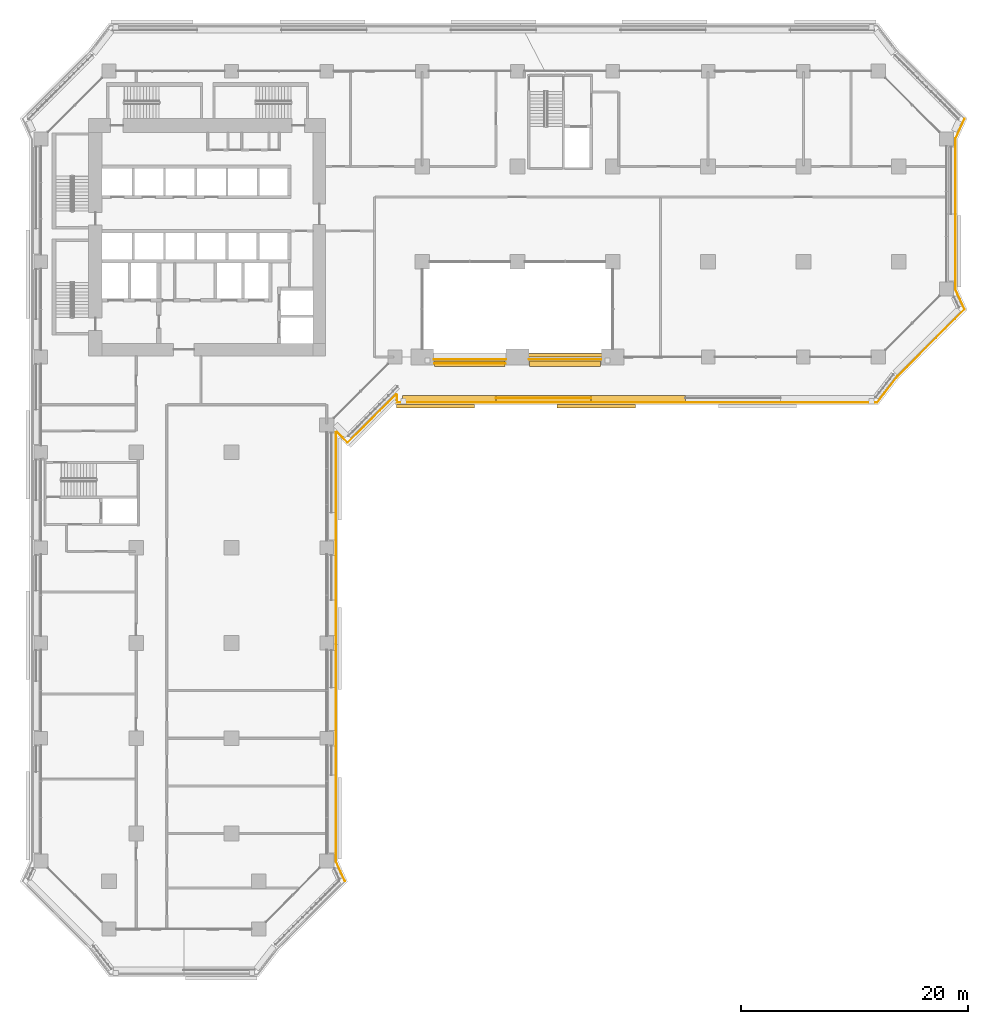
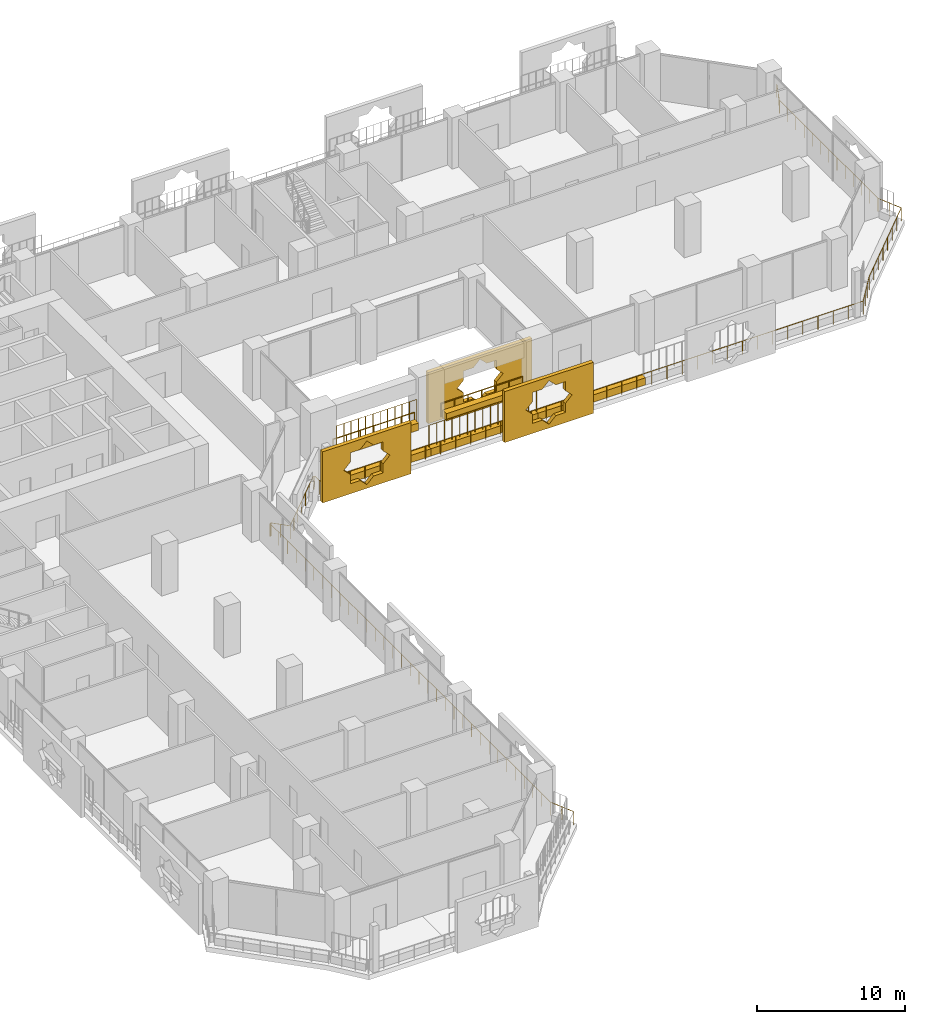
# One storey, part 23 of 27: 8 coverings, 5 railings.
"""IFC4 building model written with IfcOpenShell, lengths in metres."""

from ifc_helpers import new_model, si_unit, direction, frame, origin, origin_2d, place, context, subcontext, project, spatial, polyline, rectangle, circle, outline, extrude, material, material_profile, profile_set, type_object, element, save


model = new_model("IFC4")

# Units and contexts
model_context = context("Model", 3, precision=1e-05, world=origin(), true_north=direction((0.0, 1.0)))
body_context = subcontext(model_context, "Body", "Model", "MODEL_VIEW")
ifc_project = project(units=[si_unit("LENGTHUNIT", "METRE"), si_unit("AREAUNIT", "SQUARE_METRE"), si_unit("VOLUMEUNIT", "CUBIC_METRE"), si_unit("PLANEANGLEUNIT", "RADIAN"), si_unit("MASSUNIT", "GRAM", prefix="KILO")], contexts=[model_context])

# Site, building, storey
site_placement = place(None, origin())
site = spatial("IfcSite", under=ifc_project, at=site_placement, CompositionType="ELEMENT")
building_placement = place(site_placement, origin())
building = spatial("IfcBuilding", under=site, at=building_placement, Name="Kawkab Arch Medical Tower", CompositionType="ELEMENT")
storey_placement = place(building_placement, frame((0.0, 0.0, 43.39990234375)))
storey = spatial("IfcBuildingStorey", under=building, at=storey_placement, Name="L09", CompositionType="ELEMENT", Elevation=43.39990234375)

# Railings
ifc_material_1 = material(Name="Bronze anodised aluminium guard", Category="aluminium")
railing_type_1 = type_object("IfcRailingType", Name="Loggia and terrace guard 1100", PredefinedType="GUARDRAIL", material=ifc_material_1)
for number, where, name in (
    (1, (34.6298828125, -25.39990234375, 0.0), "Guard L09.LOG-01.1.1"),
    (2, (43.030029296875, -25.39990234375, 0.0), "Guard L09.LOG-01.1.2"),
):
    element("IfcRailing", number, at=place(storey_placement, frame(where)), inside=storey, type_object=railing_type_1, Name=name, PredefinedType="GUARDRAIL", context=body_context, shape_type="SweptSolid", body=[
        extrude(circle(Radius=0.02392578125, at=origin_2d()), frame((0.0, 0.0, 1.076171875), z_axis=(1.0, 0.0, 0.0), x_axis=(0.0, 1.0, 0.0)), (0.0, 0.0, 1.0), 6.340087890625),
        extrude(circle(Radius=0.02099609375, at=origin_2d()), origin(), (0.0, 0.0, 1.0), 1.052001953125),
        extrude(circle(Radius=0.02099609375, at=origin_2d()), frame((1.056640625, 0.0, 0.0)), (0.0, 0.0, 1.0), 1.052001953125),
        extrude(circle(Radius=0.02099609375, at=origin_2d()), frame((2.11328125, 0.0, 0.0)), (0.0, 0.0, 1.0), 1.052001953125),
        extrude(circle(Radius=0.02099609375, at=origin_2d()), frame((3.169921875, 0.0, 0.0)), (0.0, 0.0, 1.0), 1.052001953125),
        extrude(circle(Radius=0.02099609375, at=origin_2d()), frame((4.226806640625, 0.0, 0.0)), (0.0, 0.0, 1.0), 1.052001953125),
        extrude(circle(Radius=0.02099609375, at=origin_2d()), frame((5.283447265625, 0.0, 0.0)), (0.0, 0.0, 1.0), 1.052001953125),
        extrude(circle(Radius=0.02099609375, at=origin_2d()), frame((6.340087890625, 0.0, 0.0)), (0.0, 0.0, 1.0), 1.052001953125),
    ])
railing_1_placement = place(storey_placement, frame((81.39794921875, -4.205078125, 0.0)))
element("IfcRailing", 3, at=railing_1_placement, inside=storey, type_object=railing_type_1, Name="Guard L09.LOG-01.2.2", PredefinedType="GUARDRAIL", context=body_context, shape_type="SweptSolid", body=[
    extrude(circle(Radius=0.02392578125, at=origin_2d()), frame((0.0, 0.0, 1.076171875), z_axis=(-0.414452581809, -0.910070907914, 0.0), x_axis=(0.910070907914, -0.414452581809, 0.0)), (0.0, 0.0, 1.0), 1.925048828125),
    extrude(circle(Radius=0.02392578125, at=origin_2d()), frame((-0.7978515625, -1.751953125, 1.076171875), z_axis=(0.0, -1.0, 0.0), x_axis=(1.0, 0.0, 0.0)), (0.0, 0.0, 1.0), 13.285888671875),
    extrude(circle(Radius=0.02392578125, at=origin_2d()), frame((-0.7978515625, -15.037841796875, 1.076171875), z_axis=(0.414404752076, -0.910092688388, 0.0), x_axis=(0.910092688388, 0.414404752076, 0.0)), (0.0, 0.0, 1.0), 1.92529296875),
    extrude(circle(Radius=0.02392578125, at=origin_2d()), frame((0.0, -16.7900390625, 1.076171875), z_axis=(-0.707106781187, -0.707106781187, 0.0), x_axis=(0.707106781187, -0.707106781187, 0.0)), (0.0, 0.0, 1.0), 8.35791015625),
    extrude(circle(Radius=0.02392578125, at=origin_2d()), frame((-5.909912109375, -22.699951171875, 1.076171875), z_axis=(-0.614196313452, -0.789153273162, 0.0), x_axis=(0.789153273162, -0.614196313452, 0.0)), (0.0, 0.0, 1.0), 2.908203125),
    extrude(circle(Radius=0.02392578125, at=origin_2d()), frame((-7.696044921875, -24.994873046875, 1.076171875), z_axis=(-1.0, 0.0, 0.0), x_axis=(0.0, -1.0, 0.0)), (0.0, 0.0, 1.0), 42.302001953125),
    extrude(circle(Radius=0.02392578125, at=origin_2d()), frame((-49.998046875, -24.994873046875, 1.076171875), z_axis=(0.0, 1.0, 0.0), x_axis=(-1.0, 0.0, 0.0)), (0.0, 0.0, 1.0), 0.6728515625),
    extrude(circle(Radius=0.02392578125, at=origin_2d()), frame((-49.998046875, -24.322021484375, 1.076171875), z_axis=(-0.923431341387, 0.383763674343, 0.0), x_axis=(-0.383763674343, -0.923431341387, 0.0)), (0.0, 0.0, 1.0), 0.101806640625),
    extrude(circle(Radius=0.02392578125, at=origin_2d()), frame((-50.092041015625, -24.282958984375, 1.076171875), z_axis=(-0.707187685852, -0.707025867263, 0.0), x_axis=(0.707025867263, -0.707187685852, 0.0)), (0.0, 0.0, 1.0), 6.034912109375),
    extrude(circle(Radius=0.02392578125, at=origin_2d()), frame((-54.35986328125, -28.5498046875, 1.076171875), z_axis=(-0.707198215437, 0.707015335112, 0.0), x_axis=(-0.707015335112, -0.707198215437, 0.0)), (0.0, 0.0, 1.0), 1.3349609375),
    extrude(circle(Radius=0.02392578125, at=origin_2d()), frame((-55.303955078125, -27.60595703125, 1.076171875), z_axis=(-0.923431341387, -0.383763674343, 0.0), x_axis=(0.383763674343, -0.923431341387, 0.0)), (0.0, 0.0, 1.0), 0.101806640625),
    extrude(circle(Radius=0.02392578125, at=origin_2d()), frame((-55.39794921875, -27.64501953125, 1.076171875), z_axis=(0.0, -1.0, 0.0), x_axis=(1.0, 0.0, 0.0)), (0.0, 0.0, 1.0), 37.79296875),
    extrude(circle(Radius=0.02392578125, at=origin_2d()), frame((-55.39794921875, -65.43798828125, 1.076171875), z_axis=(0.414557610759, -0.910023069687, 0.0), x_axis=(0.910023069687, 0.414557610759, 0.0)), (0.0, 0.0, 1.0), 1.92529296875),
    extrude(circle(Radius=0.02099609375, at=origin_2d()), origin(), (0.0, 0.0, 1.0), 1.052001953125),
    extrude(circle(Radius=0.02099609375, at=origin_2d()), frame((-0.39892578125, -0.8759765625, 0.0)), (0.0, 0.0, 1.0), 1.052001953125),
    extrude(circle(Radius=0.02099609375, at=origin_2d()), frame((-0.7978515625, -1.751953125, 0.0)), (0.0, 0.0, 1.0), 1.052001953125),
    extrude(circle(Radius=0.02099609375, at=origin_2d()), frame((-0.7978515625, -2.859130859375, 0.0)), (0.0, 0.0, 1.0), 1.052001953125),
    extrude(circle(Radius=0.02099609375, at=origin_2d()), frame((-0.7978515625, -3.96630859375, 0.0)), (0.0, 0.0, 1.0), 1.052001953125),
    extrude(circle(Radius=0.02099609375, at=origin_2d()), frame((-0.7978515625, -5.073486328125, 0.0)), (0.0, 0.0, 1.0), 1.052001953125),
    extrude(circle(Radius=0.02099609375, at=origin_2d()), frame((-0.7978515625, -6.1806640625, 0.0)), (0.0, 0.0, 1.0), 1.052001953125),
    extrude(circle(Radius=0.02099609375, at=origin_2d()), frame((-0.7978515625, -7.287841796875, 0.0)), (0.0, 0.0, 1.0), 1.052001953125),
    extrude(circle(Radius=0.02099609375, at=origin_2d()), frame((-0.7978515625, -8.39501953125, 0.0)), (0.0, 0.0, 1.0), 1.052001953125),
    extrude(circle(Radius=0.02099609375, at=origin_2d()), frame((-0.7978515625, -9.501953125, 0.0)), (0.0, 0.0, 1.0), 1.052001953125),
    extrude(circle(Radius=0.02099609375, at=origin_2d()), frame((-0.7978515625, -10.609130859375, 0.0)), (0.0, 0.0, 1.0), 1.052001953125),
    extrude(circle(Radius=0.02099609375, at=origin_2d()), frame((-0.7978515625, -11.71630859375, 0.0)), (0.0, 0.0, 1.0), 1.052001953125),
    extrude(circle(Radius=0.02099609375, at=origin_2d()), frame((-0.7978515625, -12.823486328125, 0.0)), (0.0, 0.0, 1.0), 1.052001953125),
    extrude(circle(Radius=0.02099609375, at=origin_2d()), frame((-0.7978515625, -13.9306640625, 0.0)), (0.0, 0.0, 1.0), 1.052001953125),
    extrude(circle(Radius=0.02099609375, at=origin_2d()), frame((-0.7978515625, -15.037841796875, 0.0)), (0.0, 0.0, 1.0), 1.052001953125),
    extrude(circle(Radius=0.02099609375, at=origin_2d()), frame((-0.39892578125, -15.9140625, 0.0)), (0.0, 0.0, 1.0), 1.052001953125),
    extrude(circle(Radius=0.02099609375, at=origin_2d()), frame((0.0, -16.7900390625, 0.0)), (0.0, 0.0, 1.0), 1.052001953125),
    extrude(circle(Radius=0.02099609375, at=origin_2d()), frame((-0.84423828125, -17.63427734375, 0.0)), (0.0, 0.0, 1.0), 1.052001953125),
    extrude(circle(Radius=0.02099609375, at=origin_2d()), frame((-1.6884765625, -18.478515625, 0.0)), (0.0, 0.0, 1.0), 1.052001953125),
    extrude(circle(Radius=0.02099609375, at=origin_2d()), frame((-2.53271484375, -19.32275390625, 0.0)), (0.0, 0.0, 1.0), 1.052001953125),
    extrude(circle(Radius=0.02099609375, at=origin_2d()), frame((-3.377197265625, -20.167236328125, 0.0)), (0.0, 0.0, 1.0), 1.052001953125),
    extrude(circle(Radius=0.02099609375, at=origin_2d()), frame((-4.221435546875, -21.011474609375, 0.0)), (0.0, 0.0, 1.0), 1.052001953125),
    extrude(circle(Radius=0.02099609375, at=origin_2d()), frame((-5.065673828125, -21.855712890625, 0.0)), (0.0, 0.0, 1.0), 1.052001953125),
    extrude(circle(Radius=0.02099609375, at=origin_2d()), frame((-5.909912109375, -22.699951171875, 0.0)), (0.0, 0.0, 1.0), 1.052001953125),
    extrude(circle(Radius=0.02099609375, at=origin_2d()), frame((-6.50537109375, -23.46484375, 0.0)), (0.0, 0.0, 1.0), 1.052001953125),
    extrude(circle(Radius=0.02099609375, at=origin_2d()), frame((-7.1005859375, -24.22998046875, 0.0)), (0.0, 0.0, 1.0), 1.052001953125),
    extrude(circle(Radius=0.02099609375, at=origin_2d()), frame((-7.696044921875, -24.994873046875, 0.0)), (0.0, 0.0, 1.0), 1.052001953125),
    extrude(circle(Radius=0.02099609375, at=origin_2d()), frame((-8.87109375, -24.994873046875, 0.0)), (0.0, 0.0, 1.0), 1.052001953125),
    extrude(circle(Radius=0.02099609375, at=origin_2d()), frame((-10.046142578125, -24.994873046875, 0.0)), (0.0, 0.0, 1.0), 1.052001953125),
    extrude(circle(Radius=0.02099609375, at=origin_2d()), frame((-11.22119140625, -24.994873046875, 0.0)), (0.0, 0.0, 1.0), 1.052001953125),
    extrude(circle(Radius=0.02099609375, at=origin_2d()), frame((-12.396240234375, -24.994873046875, 0.0)), (0.0, 0.0, 1.0), 1.052001953125),
    extrude(circle(Radius=0.02099609375, at=origin_2d()), frame((-13.5712890625, -24.994873046875, 0.0)), (0.0, 0.0, 1.0), 1.052001953125),
    extrude(circle(Radius=0.02099609375, at=origin_2d()), frame((-14.746337890625, -24.994873046875, 0.0)), (0.0, 0.0, 1.0), 1.052001953125),
    extrude(circle(Radius=0.02099609375, at=origin_2d()), frame((-15.92138671875, -24.994873046875, 0.0)), (0.0, 0.0, 1.0), 1.052001953125),
    extrude(circle(Radius=0.02099609375, at=origin_2d()), frame((-17.096435546875, -24.994873046875, 0.0)), (0.0, 0.0, 1.0), 1.052001953125),
    extrude(circle(Radius=0.02099609375, at=origin_2d()), frame((-18.271484375, -24.994873046875, 0.0)), (0.0, 0.0, 1.0), 1.052001953125),
    extrude(circle(Radius=0.02099609375, at=origin_2d()), frame((-19.446533203125, -24.994873046875, 0.0)), (0.0, 0.0, 1.0), 1.052001953125),
    extrude(circle(Radius=0.02099609375, at=origin_2d()), frame((-20.62158203125, -24.994873046875, 0.0)), (0.0, 0.0, 1.0), 1.052001953125),
    extrude(circle(Radius=0.02099609375, at=origin_2d()), frame((-21.796630859375, -24.994873046875, 0.0)), (0.0, 0.0, 1.0), 1.052001953125),
    extrude(circle(Radius=0.02099609375, at=origin_2d()), frame((-22.9716796875, -24.994873046875, 0.0)), (0.0, 0.0, 1.0), 1.052001953125),
    extrude(circle(Radius=0.02099609375, at=origin_2d()), frame((-24.146728515625, -24.994873046875, 0.0)), (0.0, 0.0, 1.0), 1.052001953125),
    extrude(circle(Radius=0.02099609375, at=origin_2d()), frame((-25.32177734375, -24.994873046875, 0.0)), (0.0, 0.0, 1.0), 1.052001953125),
    extrude(circle(Radius=0.02099609375, at=origin_2d()), frame((-26.496826171875, -24.994873046875, 0.0)), (0.0, 0.0, 1.0), 1.052001953125),
    extrude(circle(Radius=0.02099609375, at=origin_2d()), frame((-27.671875, -24.994873046875, 0.0)), (0.0, 0.0, 1.0), 1.052001953125),
    extrude(circle(Radius=0.02099609375, at=origin_2d()), frame((-28.84716796875, -24.994873046875, 0.0)), (0.0, 0.0, 1.0), 1.052001953125),
    extrude(circle(Radius=0.02099609375, at=origin_2d()), frame((-30.022216796875, -24.994873046875, 0.0)), (0.0, 0.0, 1.0), 1.052001953125),
    extrude(circle(Radius=0.02099609375, at=origin_2d()), frame((-31.197265625, -24.994873046875, 0.0)), (0.0, 0.0, 1.0), 1.052001953125),
    extrude(circle(Radius=0.02099609375, at=origin_2d()), frame((-32.372314453125, -24.994873046875, 0.0)), (0.0, 0.0, 1.0), 1.052001953125),
    extrude(circle(Radius=0.02099609375, at=origin_2d()), frame((-33.54736328125, -24.994873046875, 0.0)), (0.0, 0.0, 1.0), 1.052001953125),
    extrude(circle(Radius=0.02099609375, at=origin_2d()), frame((-34.722412109375, -24.994873046875, 0.0)), (0.0, 0.0, 1.0), 1.052001953125),
    extrude(circle(Radius=0.02099609375, at=origin_2d()), frame((-35.8974609375, -24.994873046875, 0.0)), (0.0, 0.0, 1.0), 1.052001953125),
    extrude(circle(Radius=0.02099609375, at=origin_2d()), frame((-37.072509765625, -24.994873046875, 0.0)), (0.0, 0.0, 1.0), 1.052001953125),
    extrude(circle(Radius=0.02099609375, at=origin_2d()), frame((-38.24755859375, -24.994873046875, 0.0)), (0.0, 0.0, 1.0), 1.052001953125),
    extrude(circle(Radius=0.02099609375, at=origin_2d()), frame((-39.422607421875, -24.994873046875, 0.0)), (0.0, 0.0, 1.0), 1.052001953125),
    extrude(circle(Radius=0.02099609375, at=origin_2d()), frame((-40.59765625, -24.994873046875, 0.0)), (0.0, 0.0, 1.0), 1.052001953125),
    extrude(circle(Radius=0.02099609375, at=origin_2d()), frame((-41.772705078125, -24.994873046875, 0.0)), (0.0, 0.0, 1.0), 1.052001953125),
    extrude(circle(Radius=0.02099609375, at=origin_2d()), frame((-42.94775390625, -24.994873046875, 0.0)), (0.0, 0.0, 1.0), 1.052001953125),
    extrude(circle(Radius=0.02099609375, at=origin_2d()), frame((-44.122802734375, -24.994873046875, 0.0)), (0.0, 0.0, 1.0), 1.052001953125),
    extrude(circle(Radius=0.02099609375, at=origin_2d()), frame((-45.2978515625, -24.994873046875, 0.0)), (0.0, 0.0, 1.0), 1.052001953125),
    extrude(circle(Radius=0.02099609375, at=origin_2d()), frame((-46.472900390625, -24.994873046875, 0.0)), (0.0, 0.0, 1.0), 1.052001953125),
    extrude(circle(Radius=0.02099609375, at=origin_2d()), frame((-47.64794921875, -24.994873046875, 0.0)), (0.0, 0.0, 1.0), 1.052001953125),
    extrude(circle(Radius=0.02099609375, at=origin_2d()), frame((-48.822998046875, -24.994873046875, 0.0)), (0.0, 0.0, 1.0), 1.052001953125),
    extrude(circle(Radius=0.02099609375, at=origin_2d()), frame((-49.998046875, -24.994873046875, 0.0)), (0.0, 0.0, 1.0), 1.052001953125),
    extrude(circle(Radius=0.02099609375, at=origin_2d()), frame((-49.998046875, -24.322021484375, 0.0)), (0.0, 0.0, 1.0), 1.052001953125),
    extrude(circle(Radius=0.02099609375, at=origin_2d()), frame((-50.092041015625, -24.282958984375, 0.0)), (0.0, 0.0, 1.0), 1.052001953125),
    extrude(circle(Radius=0.02099609375, at=origin_2d()), frame((-50.80322265625, -24.994140625, 0.0)), (0.0, 0.0, 1.0), 1.052001953125),
    extrude(circle(Radius=0.02099609375, at=origin_2d()), frame((-51.5146484375, -25.705322265625, 0.0)), (0.0, 0.0, 1.0), 1.052001953125),
    extrude(circle(Radius=0.02099609375, at=origin_2d()), frame((-52.22607421875, -26.41650390625, 0.0)), (0.0, 0.0, 1.0), 1.052001953125),
    extrude(circle(Radius=0.02099609375, at=origin_2d()), frame((-52.937255859375, -27.12744140625, 0.0)), (0.0, 0.0, 1.0), 1.052001953125),
    extrude(circle(Radius=0.02099609375, at=origin_2d()), frame((-53.6484375, -27.838623046875, 0.0)), (0.0, 0.0, 1.0), 1.052001953125),
    extrude(circle(Radius=0.02099609375, at=origin_2d()), frame((-54.35986328125, -28.5498046875, 0.0)), (0.0, 0.0, 1.0), 1.052001953125),
    extrude(circle(Radius=0.02099609375, at=origin_2d()), frame((-54.83203125, -28.077880859375, 0.0)), (0.0, 0.0, 1.0), 1.052001953125),
    extrude(circle(Radius=0.02099609375, at=origin_2d()), frame((-55.303955078125, -27.60595703125, 0.0)), (0.0, 0.0, 1.0), 1.052001953125),
    extrude(circle(Radius=0.02099609375, at=origin_2d()), frame((-55.39794921875, -27.64501953125, 0.0)), (0.0, 0.0, 1.0), 1.052001953125),
    extrude(circle(Radius=0.02099609375, at=origin_2d()), frame((-55.39794921875, -28.826171875, 0.0)), (0.0, 0.0, 1.0), 1.052001953125),
    extrude(circle(Radius=0.02099609375, at=origin_2d()), frame((-55.39794921875, -30.007080078125, 0.0)), (0.0, 0.0, 1.0), 1.052001953125),
    extrude(circle(Radius=0.02099609375, at=origin_2d()), frame((-55.39794921875, -31.18798828125, 0.0)), (0.0, 0.0, 1.0), 1.052001953125),
    extrude(circle(Radius=0.02099609375, at=origin_2d()), frame((-55.39794921875, -32.369140625, 0.0)), (0.0, 0.0, 1.0), 1.052001953125),
    extrude(circle(Radius=0.02099609375, at=origin_2d()), frame((-55.39794921875, -33.55029296875, 0.0)), (0.0, 0.0, 1.0), 1.052001953125),
    extrude(circle(Radius=0.02099609375, at=origin_2d()), frame((-55.39794921875, -34.731201171875, 0.0)), (0.0, 0.0, 1.0), 1.052001953125),
    extrude(circle(Radius=0.02099609375, at=origin_2d()), frame((-55.39794921875, -35.912109375, 0.0)), (0.0, 0.0, 1.0), 1.052001953125),
    extrude(circle(Radius=0.02099609375, at=origin_2d()), frame((-55.39794921875, -37.09326171875, 0.0)), (0.0, 0.0, 1.0), 1.052001953125),
    extrude(circle(Radius=0.02099609375, at=origin_2d()), frame((-55.39794921875, -38.2744140625, 0.0)), (0.0, 0.0, 1.0), 1.052001953125),
    extrude(circle(Radius=0.02099609375, at=origin_2d()), frame((-55.39794921875, -39.455322265625, 0.0)), (0.0, 0.0, 1.0), 1.052001953125),
    extrude(circle(Radius=0.02099609375, at=origin_2d()), frame((-55.39794921875, -40.63623046875, 0.0)), (0.0, 0.0, 1.0), 1.052001953125),
    extrude(circle(Radius=0.02099609375, at=origin_2d()), frame((-55.39794921875, -41.8173828125, 0.0)), (0.0, 0.0, 1.0), 1.052001953125),
    extrude(circle(Radius=0.02099609375, at=origin_2d()), frame((-55.39794921875, -42.99853515625, 0.0)), (0.0, 0.0, 1.0), 1.052001953125),
    extrude(circle(Radius=0.02099609375, at=origin_2d()), frame((-55.39794921875, -44.179443359375, 0.0)), (0.0, 0.0, 1.0), 1.052001953125),
    extrude(circle(Radius=0.02099609375, at=origin_2d()), frame((-55.39794921875, -45.3603515625, 0.0)), (0.0, 0.0, 1.0), 1.052001953125),
    extrude(circle(Radius=0.02099609375, at=origin_2d()), frame((-55.39794921875, -46.54150390625, 0.0)), (0.0, 0.0, 1.0), 1.052001953125),
    extrude(circle(Radius=0.02099609375, at=origin_2d()), frame((-55.39794921875, -47.72265625, 0.0)), (0.0, 0.0, 1.0), 1.052001953125),
    extrude(circle(Radius=0.02099609375, at=origin_2d()), frame((-55.39794921875, -48.903564453125, 0.0)), (0.0, 0.0, 1.0), 1.052001953125),
    extrude(circle(Radius=0.02099609375, at=origin_2d()), frame((-55.39794921875, -50.08447265625, 0.0)), (0.0, 0.0, 1.0), 1.052001953125),
    extrude(circle(Radius=0.02099609375, at=origin_2d()), frame((-55.39794921875, -51.265625, 0.0)), (0.0, 0.0, 1.0), 1.052001953125),
    extrude(circle(Radius=0.02099609375, at=origin_2d()), frame((-55.39794921875, -52.44677734375, 0.0)), (0.0, 0.0, 1.0), 1.052001953125),
    extrude(circle(Radius=0.02099609375, at=origin_2d()), frame((-55.39794921875, -53.627685546875, 0.0)), (0.0, 0.0, 1.0), 1.052001953125),
    extrude(circle(Radius=0.02099609375, at=origin_2d()), frame((-55.39794921875, -54.80859375, 0.0)), (0.0, 0.0, 1.0), 1.052001953125),
    extrude(circle(Radius=0.02099609375, at=origin_2d()), frame((-55.39794921875, -55.98974609375, 0.0)), (0.0, 0.0, 1.0), 1.052001953125),
    extrude(circle(Radius=0.02099609375, at=origin_2d()), frame((-55.39794921875, -57.1708984375, 0.0)), (0.0, 0.0, 1.0), 1.052001953125),
    extrude(circle(Radius=0.02099609375, at=origin_2d()), frame((-55.39794921875, -58.351806640625, 0.0)), (0.0, 0.0, 1.0), 1.052001953125),
    extrude(circle(Radius=0.02099609375, at=origin_2d()), frame((-55.39794921875, -59.53271484375, 0.0)), (0.0, 0.0, 1.0), 1.052001953125),
    extrude(circle(Radius=0.02099609375, at=origin_2d()), frame((-55.39794921875, -60.7138671875, 0.0)), (0.0, 0.0, 1.0), 1.052001953125),
    extrude(circle(Radius=0.02099609375, at=origin_2d()), frame((-55.39794921875, -61.89501953125, 0.0)), (0.0, 0.0, 1.0), 1.052001953125),
    extrude(circle(Radius=0.02099609375, at=origin_2d()), frame((-55.39794921875, -63.075927734375, 0.0)), (0.0, 0.0, 1.0), 1.052001953125),
    extrude(circle(Radius=0.02099609375, at=origin_2d()), frame((-55.39794921875, -64.2568359375, 0.0)), (0.0, 0.0, 1.0), 1.052001953125),
    extrude(circle(Radius=0.02099609375, at=origin_2d()), frame((-55.39794921875, -65.43798828125, 0.0)), (0.0, 0.0, 1.0), 1.052001953125),
    extrude(circle(Radius=0.02099609375, at=origin_2d()), frame((-54.9990234375, -66.31396484375, 0.0)), (0.0, 0.0, 1.0), 1.052001953125),
    extrude(circle(Radius=0.02099609375, at=origin_2d()), frame((-54.599853515625, -67.18994140625, 0.0)), (0.0, 0.0, 1.0), 1.052001953125),
])

# Coverings
ifc_material_2 = material(Name="Bronze anodised aluminium mashrabiya panel, eight-point star pattern", Category="aluminium")
ifc_material_profile_1 = material_profile(ifc_material_2, outline(polyline([(-3.449951171875, -2.10009765625), (3.449951171875, -2.10009765625), (3.449951171875, 2.10009765625), (-3.449951171875, 2.10009765625), (-3.449951171875, -2.10009765625)]), holes=[polyline([(1.800048828125, 0.0), (1.272705078125, 0.527099609375), (1.272705078125, 1.272705078125), (0.527099609375, 1.272705078125), (0.0, 1.800048828125), (-0.527099609375, 1.272705078125), (-1.272705078125, 1.272705078125), (-1.272705078125, 0.527099609375), (-1.800048828125, 0.0), (-1.272705078125, -0.527099609375), (-1.272705078125, -1.272705078125), (-0.527099609375, -1.272705078125), (0.0, -1.800048828125), (0.527099609375, -1.272705078125), (1.272705078125, -1.272705078125), (1.272705078125, -0.527099609375), (1.800048828125, 0.0)])]), Name="Mashrabiya panel 6900x4200")
ifc_profile_set_1 = profile_set([ifc_material_profile_1], Name="Bronze anodised aluminium mashrabiya panel, eight-point star pattern")
covering_type_1 = type_object("IfcCoveringType", Name="Mashrabiya panel 6900 x 4200", PredefinedType="USERDEFINED", material=ifc_profile_set_1)
for number, where, z_axis, x_axis, name in (
    (4, (48.953857421875, -29.39990234375, 1.7001953125), (0.0, -1.0, 0.0), (1.0, 0.0, 0.0), "Mashrabiya panel L09.LOG-01-02.13"),
    (5, (34.77880859375, -29.39990234375, 1.7001953125), (0.0, -1.0, 0.0), (1.0, 0.0, 0.0), "Mashrabiya panel L09.LOG-01-02.14"),
):
    element("IfcCovering", number, at=place(storey_placement, frame(where, z_axis=z_axis, x_axis=x_axis)), inside=storey, type_object=covering_type_1, Name=name, ObjectType="SCREEN", PredefinedType="USERDEFINED", context=body_context, shape_type="SweptSolid", body=[
        extrude(outline(polyline([(-3.449951171875, -2.10009765625), (3.449951171875, -2.10009765625), (3.449951171875, 2.10009765625), (-3.449951171875, 2.10009765625), (-3.449951171875, -2.10009765625)]), holes=[polyline([(1.800048828125, 0.0), (1.272705078125, 0.527099609375), (1.272705078125, 1.272705078125), (0.527099609375, 1.272705078125), (0.0, 1.800048828125), (-0.527099609375, 1.272705078125), (-1.272705078125, 1.272705078125), (-1.272705078125, 0.527099609375), (-1.800048828125, 0.0), (-1.272705078125, -0.527099609375), (-1.272705078125, -1.272705078125), (-0.527099609375, -1.272705078125), (0.0, -1.800048828125), (0.527099609375, -1.272705078125), (1.272705078125, -1.272705078125), (1.272705078125, -0.527099609375), (1.800048828125, 0.0)])]), origin(), (0.0, 0.0, 1.0), 0.300048828125),
    ])
ifc_material_3 = material(Name="Bronze anodised aluminium mashrabiya panel, eight-point star pattern", Category="aluminium")
ifc_material_profile_2 = material_profile(ifc_material_3, outline(polyline([(-4.050048828125, -2.10009765625), (4.050048828125, -2.10009765625), (4.050048828125, 2.10009765625), (-4.050048828125, 2.10009765625), (-4.050048828125, -2.10009765625)]), holes=[polyline([(1.800048828125, 0.0), (1.272705078125, 0.527099609375), (1.272705078125, 1.272705078125), (0.527099609375, 1.272705078125), (0.0, 1.800048828125), (-0.527099609375, 1.272705078125), (-1.272705078125, 1.272705078125), (-1.272705078125, 0.527099609375), (-1.800048828125, 0.0), (-1.272705078125, -0.527099609375), (-1.272705078125, -1.272705078125), (-0.527099609375, -1.272705078125), (0.0, -1.800048828125), (0.527099609375, -1.272705078125), (1.272705078125, -1.272705078125), (1.272705078125, -0.527099609375), (1.800048828125, 0.0)])]), Name="Mashrabiya panel 8100x4200")
ifc_profile_set_2 = profile_set([ifc_material_profile_2], Name="Bronze anodised aluminium mashrabiya panel, eight-point star pattern")
covering_type_2 = type_object("IfcCoveringType", Name="Mashrabiya panel 8100 x 4200", PredefinedType="USERDEFINED", material=ifc_profile_set_2)
covering_1_placement = place(storey_placement, frame((46.18505859375, -25.199951171875, 1.7001953125), z_axis=(0.0, 1.0, 0.0), x_axis=(-1.0, 0.0, 0.0)))
element("IfcCovering", 6, at=covering_1_placement, inside=storey, type_object=covering_type_2, Name="Mashrabiya panel L09.LOG-01-01.1", ObjectType="SCREEN", PredefinedType="USERDEFINED", context=body_context, shape_type="SweptSolid", body=[
    extrude(outline(polyline([(-4.050048828125, -2.10009765625), (4.050048828125, -2.10009765625), (4.050048828125, 2.10009765625), (-4.050048828125, 2.10009765625), (-4.050048828125, -2.10009765625)]), holes=[polyline([(1.800048828125, 0.0), (1.272705078125, 0.527099609375), (1.272705078125, 1.272705078125), (0.527099609375, 1.272705078125), (0.0, 1.800048828125), (-0.527099609375, 1.272705078125), (-1.272705078125, 1.272705078125), (-1.272705078125, 0.527099609375), (-1.800048828125, 0.0), (-1.272705078125, -0.527099609375), (-1.272705078125, -1.272705078125), (-0.527099609375, -1.272705078125), (0.0, -1.800048828125), (0.527099609375, -1.272705078125), (1.272705078125, -1.272705078125), (1.272705078125, -0.527099609375), (1.800048828125, 0.0)])]), origin(), (0.0, 0.0, 1.0), 0.300048828125),
])
ifc_material_4 = material(Name="Planting soil in a precast trough", Category="concrete")
ifc_material_profile_3 = material_profile(ifc_material_4, rectangle(XDim=0.5, YDim=0.60009765625, at=origin_2d()), Name="Trough 500x600")
ifc_profile_set_3 = profile_set([ifc_material_profile_3], Name="Planting soil in a precast trough")
covering_type_3 = type_object("IfcCoveringType", Name="Planter trough 500 x 600", PredefinedType="USERDEFINED", material=ifc_profile_set_3)
for number, where, z_axis, x_axis, name in (
    (7, (34.679931640625, -25.780029296875, 0.300048828125), (1.0, 0.0, 0.0), (0.0, 1.0, 0.0), "Planter L09.LOG-01-01.1"),
    (8, (43.080078125, -25.780029296875, 0.300048828125), (1.0, 0.0, 0.0), (0.0, 1.0, 0.0), "Planter L09.LOG-01-01.2"),
):
    element("IfcCovering", number, at=place(storey_placement, frame(where, z_axis=z_axis, x_axis=x_axis)), inside=storey, type_object=covering_type_3, Name=name, ObjectType="PLANTER", PredefinedType="USERDEFINED", context=body_context, shape_type="SweptSolid", body=[
        extrude(rectangle(XDim=0.5, YDim=0.60009765625, at=origin_2d()), origin(), (0.0, 0.0, 1.0), 6.239990234375),
    ])
covering_2_placement = place(storey_placement, frame((56.822021484375, -28.820068359375, 0.300048828125), z_axis=(-1.0, 0.0, 0.0), x_axis=(0.0, -1.0, 0.0)))
element("IfcCovering", 9, at=covering_2_placement, inside=storey, type_object=covering_type_3, Name="Planter L09.LOG-01-02.44", ObjectType="PLANTER", PredefinedType="USERDEFINED", context=body_context, shape_type="SweptSolid", body=[
    extrude(rectangle(XDim=0.5, YDim=0.60009765625, at=origin_2d()), origin(), (0.0, 0.0, 1.0), 8.346923828125),
])
covering_3_placement = place(storey_placement, frame((48.47509765625, -28.820068359375, 0.300048828125), z_axis=(-1.0, 0.0, 0.0), x_axis=(0.0, -1.0, 0.0)))
element("IfcCovering", 10, at=covering_3_placement, inside=storey, type_object=covering_type_3, Name="Planter L09.LOG-01-02.45", ObjectType="PLANTER", PredefinedType="USERDEFINED", context=body_context, shape_type="SweptSolid", body=[
    extrude(rectangle(XDim=0.5, YDim=0.60009765625, at=origin_2d()), origin(), (0.0, 0.0, 1.0), 8.34814453125),
])
covering_4_placement = place(storey_placement, frame((40.126953125, -28.820068359375, 0.300048828125), z_axis=(-1.0, 0.0, 0.0), x_axis=(0.0, -1.0, 0.0)))
element("IfcCovering", 11, at=covering_4_placement, inside=storey, type_object=covering_type_3, Name="Planter L09.LOG-01-02.46", ObjectType="PLANTER", PredefinedType="USERDEFINED", context=body_context, shape_type="SweptSolid", body=[
    extrude(rectangle(XDim=0.5, YDim=0.60009765625, at=origin_2d()), origin(), (0.0, 0.0, 1.0), 8.2470703125),
])

# Railings
ifc_material_5 = material(Name="Bronze anodised aluminium trellis for climbing plants", Category="aluminium")
railing_type_2 = type_object("IfcRailingType", Name="Planting trellis 2400", PredefinedType="USERDEFINED", material=ifc_material_5)
railing_2_placement = place(storey_placement, frame((34.679931640625, -25.780029296875, 0.0)))
element("IfcRailing", 12, at=railing_2_placement, inside=storey, type_object=railing_type_2, Name="Planting trellis L09.LOG-01-01.1", ObjectType="TRELLIS", PredefinedType="USERDEFINED", context=body_context, shape_type="SweptSolid", body=[
    extrude(circle(Radius=0.01513671875, at=origin_2d()), frame((0.0, 0.0, 2.384765625), z_axis=(1.0, 0.0, 0.0), x_axis=(0.0, 1.0, 0.0)), (0.0, 0.0, 1.0), 6.239990234375),
    extrude(circle(Radius=0.030029296875, at=origin_2d()), origin(), (0.0, 0.0, 1.0), 2.369873046875),
    extrude(circle(Radius=0.030029296875, at=origin_2d()), frame((0.5673828125, 0.0, 0.0)), (0.0, 0.0, 1.0), 2.369873046875),
    extrude(circle(Radius=0.030029296875, at=origin_2d()), frame((1.134521484375, 0.0, 0.0)), (0.0, 0.0, 1.0), 2.369873046875),
    extrude(circle(Radius=0.030029296875, at=origin_2d()), frame((1.701904296875, 0.0, 0.0)), (0.0, 0.0, 1.0), 2.369873046875),
    extrude(circle(Radius=0.030029296875, at=origin_2d()), frame((2.26904296875, 0.0, 0.0)), (0.0, 0.0, 1.0), 2.369873046875),
    extrude(circle(Radius=0.030029296875, at=origin_2d()), frame((2.83642578125, 0.0, 0.0)), (0.0, 0.0, 1.0), 2.369873046875),
    extrude(circle(Radius=0.030029296875, at=origin_2d()), frame((3.403564453125, 0.0, 0.0)), (0.0, 0.0, 1.0), 2.369873046875),
    extrude(circle(Radius=0.030029296875, at=origin_2d()), frame((3.970947265625, 0.0, 0.0)), (0.0, 0.0, 1.0), 2.369873046875),
    extrude(circle(Radius=0.030029296875, at=origin_2d()), frame((4.5380859375, 0.0, 0.0)), (0.0, 0.0, 1.0), 2.369873046875),
    extrude(circle(Radius=0.030029296875, at=origin_2d()), frame((5.10546875, 0.0, 0.0)), (0.0, 0.0, 1.0), 2.369873046875),
    extrude(circle(Radius=0.030029296875, at=origin_2d()), frame((5.672607421875, 0.0, 0.0)), (0.0, 0.0, 1.0), 2.369873046875),
    extrude(circle(Radius=0.030029296875, at=origin_2d()), frame((6.239990234375, 0.0, 0.0)), (0.0, 0.0, 1.0), 2.369873046875),
])
railing_3_placement = place(storey_placement, frame((48.47509765625, -28.820068359375, 0.0)))
element("IfcRailing", 13, at=railing_3_placement, inside=storey, type_object=railing_type_2, Name="Planting trellis L09.LOG-01-02.45", ObjectType="TRELLIS", PredefinedType="USERDEFINED", context=body_context, shape_type="SweptSolid", body=[
    extrude(circle(Radius=0.01513671875, at=origin_2d()), frame((0.0, 0.0, 2.384765625), z_axis=(-1.0, 0.0, 0.0), x_axis=(0.0, -1.0, 0.0)), (0.0, 0.0, 1.0), 8.34814453125),
    extrude(circle(Radius=0.030029296875, at=origin_2d()), origin(), (0.0, 0.0, 1.0), 2.369873046875),
    extrude(circle(Radius=0.030029296875, at=origin_2d()), frame((-0.59619140625, 0.0, 0.0)), (0.0, 0.0, 1.0), 2.369873046875),
    extrude(circle(Radius=0.030029296875, at=origin_2d()), frame((-1.192626953125, 0.0, 0.0)), (0.0, 0.0, 1.0), 2.369873046875),
    extrude(circle(Radius=0.030029296875, at=origin_2d()), frame((-1.788818359375, 0.0, 0.0)), (0.0, 0.0, 1.0), 2.369873046875),
    extrude(circle(Radius=0.030029296875, at=origin_2d()), frame((-2.38525390625, 0.0, 0.0)), (0.0, 0.0, 1.0), 2.369873046875),
    extrude(circle(Radius=0.030029296875, at=origin_2d()), frame((-2.9814453125, 0.0, 0.0)), (0.0, 0.0, 1.0), 2.369873046875),
    extrude(circle(Radius=0.030029296875, at=origin_2d()), frame((-3.577880859375, 0.0, 0.0)), (0.0, 0.0, 1.0), 2.369873046875),
    extrude(circle(Radius=0.030029296875, at=origin_2d()), frame((-4.174072265625, 0.0, 0.0)), (0.0, 0.0, 1.0), 2.369873046875),
    extrude(circle(Radius=0.030029296875, at=origin_2d()), frame((-4.770263671875, 0.0, 0.0)), (0.0, 0.0, 1.0), 2.369873046875),
    extrude(circle(Radius=0.030029296875, at=origin_2d()), frame((-5.36669921875, 0.0, 0.0)), (0.0, 0.0, 1.0), 2.369873046875),
    extrude(circle(Radius=0.030029296875, at=origin_2d()), frame((-5.962890625, 0.0, 0.0)), (0.0, 0.0, 1.0), 2.369873046875),
    extrude(circle(Radius=0.030029296875, at=origin_2d()), frame((-6.559326171875, 0.0, 0.0)), (0.0, 0.0, 1.0), 2.369873046875),
    extrude(circle(Radius=0.030029296875, at=origin_2d()), frame((-7.155517578125, 0.0, 0.0)), (0.0, 0.0, 1.0), 2.369873046875),
    extrude(circle(Radius=0.030029296875, at=origin_2d()), frame((-7.751953125, 0.0, 0.0)), (0.0, 0.0, 1.0), 2.369873046875),
    extrude(circle(Radius=0.030029296875, at=origin_2d()), frame((-8.34814453125, 0.0, 0.0)), (0.0, 0.0, 1.0), 2.369873046875),
])

save(model, "model.ifc")
